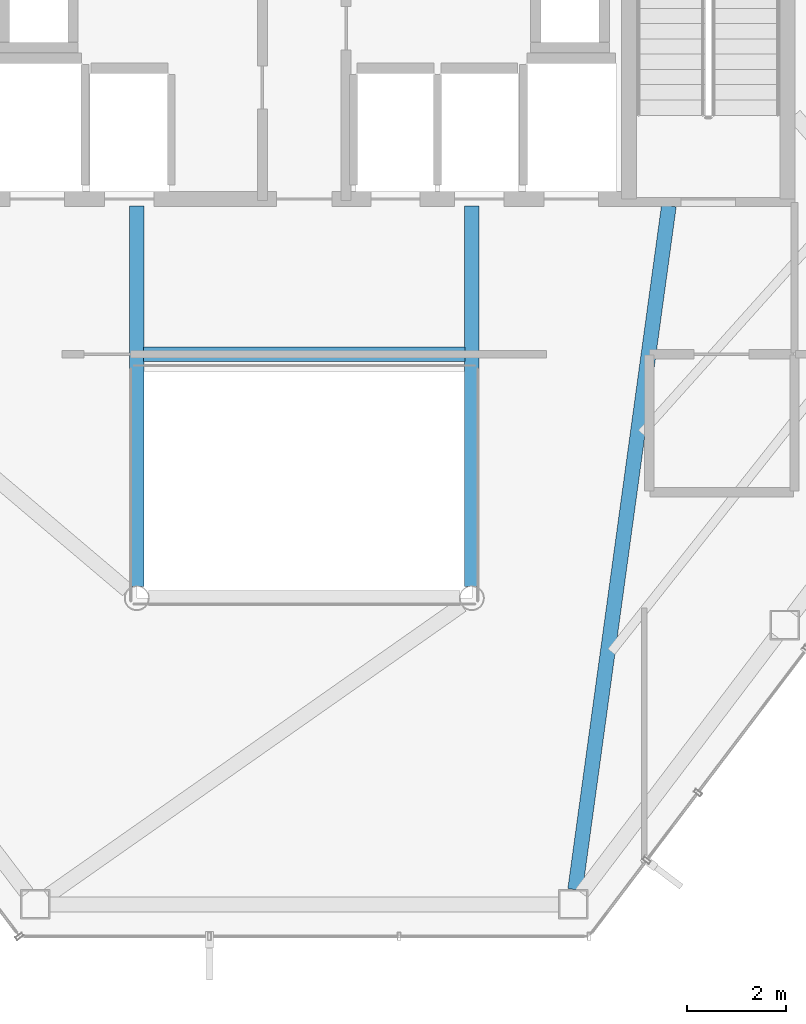
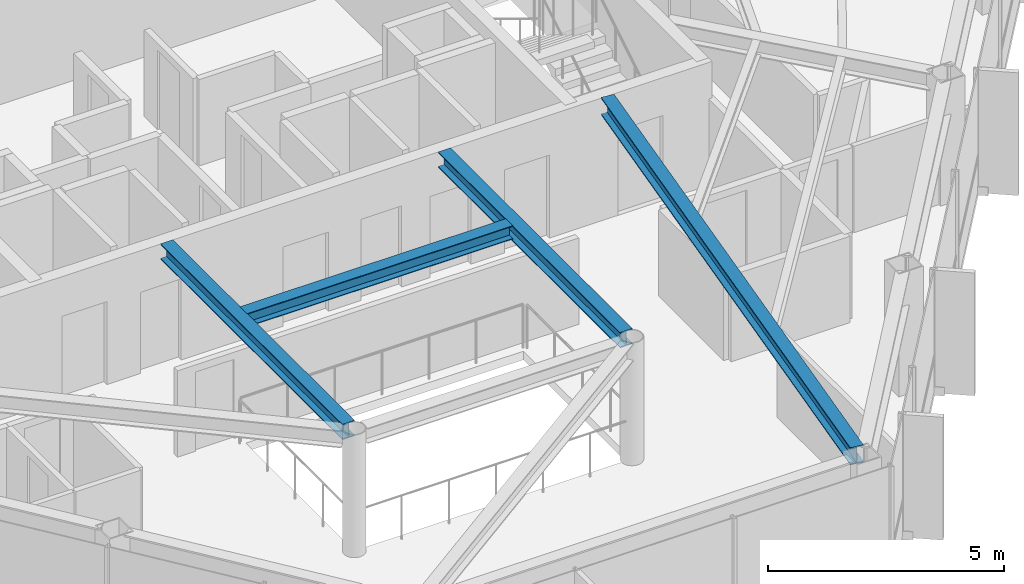
# One storey, part 9 of 27: 4 beams.
"""IFC4 building model written with IfcOpenShell, lengths in metres."""

import ifcopenshell
import ifcopenshell.guid

model = None  # the IFC model being written
_history = None  # IfcOwnerHistory: only IFC2X3 demands one
_inside = {}  # id of a spatial element -> (the spatial element, [elements in it])
_under = {}  # id of a project, library or spatial element -> (it, [spatial elements below it])
_declared = {}  # id of a project -> (the project, [libraries it declares])
_typed = {}  # id of a type object -> (the type object, [elements of that type])
_made_of = {}  # id of a material, layer set ... -> (it, [elements and type objects made of it])


def new_model(schema):
    """Start an empty IFC model of exactly this schema.

    Asked for "IFC4X3", IfcOpenShell would pick the latest addendum, in which some entities
    have other attributes; the version numbers below select the first issue.
    IFC2X3 requires an IfcOwnerHistory on every rooted entity: one is made here for all.
    """
    global model, _history
    if schema == "IFC4X3":
        model = ifcopenshell.file(schema_version=(4, 3, 0, 0))
    else:
        model = ifcopenshell.file(schema=schema)
    _inside.clear()
    _under.clear()
    _declared.clear()
    _typed.clear()
    _made_of.clear()
    _history = None
    if model.schema == "IFC2X3":
        org = make("IfcOrganization", Name="unknown")
        user = make(
            "IfcPersonAndOrganization",
            ThePerson=make("IfcPerson", FamilyName="unknown"),
            TheOrganization=org,
        )
        app = make(
            "IfcApplication",
            ApplicationDeveloper=org,
            Version="unknown",
            ApplicationFullName="unknown",
            ApplicationIdentifier="unknown",
        )
        _history = make(
            "IfcOwnerHistory",
            OwningUser=user,
            OwningApplication=app,
            ChangeAction="ADDED",
            CreationDate=0,
        )
    return model


def make(cls, **values):
    """One entity of the class cls with the attributes given. An attribute that is None is left unset."""
    return model.create_entity(
        cls, **{name: value for name, value in values.items() if value is not None}
    )


def rooted(cls, **values):
    """An entity with a GlobalId (a new one), such as an element, a storey or a relation."""
    return make(cls, GlobalId=ifcopenshell.guid.new(), OwnerHistory=_history, **values)


def si_unit(unit_type, name, prefix=None):
    """IfcSIUnit, for example si_unit("LENGTHUNIT", "METRE", prefix="MILLI")."""
    return make("IfcSIUnit", UnitType=unit_type, Prefix=prefix, Name=name)


def assignment(units):
    """IfcUnitAssignment: the units of a project."""
    return None if units is None else make("IfcUnitAssignment", Units=units)


def point(xyz):
    """IfcCartesianPoint."""
    return None if xyz is None else make("IfcCartesianPoint", Coordinates=xyz)


def direction(xyz):
    """IfcDirection."""
    return None if xyz is None else make("IfcDirection", DirectionRatios=xyz)


def frame(location, z_axis=None, x_axis=None):
    """IfcAxis2Placement3D, a coordinate frame: its origin and axes. An axis left out is left unset."""
    return make(
        "IfcAxis2Placement3D",
        Location=point(location),
        Axis=direction(z_axis),
        RefDirection=direction(x_axis),
    )


def frame_2d(location, x_axis=None):
    """IfcAxis2Placement2D, a coordinate frame in the plane: its origin and x axis."""
    return make(
        "IfcAxis2Placement2D", Location=point(location), RefDirection=direction(x_axis)
    )


def origin():
    """The frame at (0, 0, 0) with its axes left unset."""
    return frame((0.0, 0.0, 0.0))


def origin_2d():
    """The frame at (0, 0) in the plane with its x axis left unset."""
    return frame_2d((0.0, 0.0))


def place(relative_to, where):
    """IfcLocalPlacement: puts the frame where relative to a parent placement (None: the world)."""
    return make(
        "IfcLocalPlacement", PlacementRelTo=relative_to, RelativePlacement=where
    )


def context(
    kind, dimensions, precision=None, world=None, true_north=None, identifier=None
):
    """IfcGeometricRepresentationContext, for example the 3D "Model" context."""
    return make(
        "IfcGeometricRepresentationContext",
        ContextIdentifier=identifier,
        ContextType=kind,
        CoordinateSpaceDimension=dimensions,
        Precision=precision,
        WorldCoordinateSystem=world,
        TrueNorth=true_north,
    )


def subcontext(parent, identifier, kind, view, scale=None):
    """IfcGeometricRepresentationSubContext, for example "Body" below "Model"."""
    return make(
        "IfcGeometricRepresentationSubContext",
        ContextIdentifier=identifier,
        ContextType=kind,
        ParentContext=parent,
        TargetScale=scale,
        TargetView=view,
    )


def project(units=None, contexts=None):
    """IfcProject with its units and contexts."""
    return rooted(
        "IfcProject",
        Name="project",
        RepresentationContexts=contexts,
        UnitsInContext=assignment(units),
    )


def spatial(cls, under=None, at=None, **own):
    """A site, building, storey or space (cls), placed at a placement, below another one or the project."""
    s = rooted(cls, ObjectPlacement=at, **own)
    if under is not None:
        _under.setdefault(under.id(), (under, []))[1].append(s)
    return s


def profile(cls, at=None, kind="AREA", **sizes):
    """A parametric profile (cls). Its sizes go by their IFC names, for example OverallWidth=200.0."""
    return make(cls, ProfileType=kind, Position=at, **sizes)


def i_section(**sizes):
    """IfcIShapeProfileDef."""
    return profile("IfcIShapeProfileDef", **sizes)


def extrude(swept, where, along, depth):
    """IfcExtrudedAreaSolid: the profile swept, set in the frame where, extruded along a direction by depth."""
    return make(
        "IfcExtrudedAreaSolid",
        SweptArea=swept,
        Position=where,
        ExtrudedDirection=direction(along),
        Depth=depth,
    )


def shape(context_of_items, identifier, shape_type, items):
    """IfcShapeRepresentation: the items that make up one representation, for example the "Body"."""
    return make(
        "IfcShapeRepresentation",
        ContextOfItems=context_of_items,
        RepresentationIdentifier=identifier,
        RepresentationType=shape_type,
        Items=items,
    )


def material(Name=None, Category=None):
    """IfcMaterial."""
    return make("IfcMaterial", Name=Name, Category=Category)


def material_profile(
    of_material, cross_section, Name=None, Category=None, Priority=None
):
    """IfcMaterialProfile: a cross section and its material."""
    return make(
        "IfcMaterialProfile",
        Name=Name,
        Material=of_material,
        Profile=cross_section,
        Priority=Priority,
        Category=Category,
    )


def profile_set(profiles, Name=None, composite=None):
    """IfcMaterialProfileSet."""
    return make(
        "IfcMaterialProfileSet",
        Name=Name,
        MaterialProfiles=profiles,
        CompositeProfile=composite,
    )


def made_of(thing, what):
    """Note that an element or type object is made of a material, layer set ...; save() writes the relation."""
    if what is not None:
        _made_of.setdefault(what.id(), (what, []))[1].append(thing)
    return thing


def type_object(cls, material=None, **own):
    """A type object (cls), such as IfcWallType, which elements share."""
    return made_of(rooted(cls, **own), material)


def element(
    cls,
    number,
    at=None,
    inside=None,
    cuts=None,
    type_object=None,
    material=None,
    context=None,
    identifier="Body",
    shape_type=None,
    held_by="IfcProductDefinitionShape",
    body=None,
    shapes=None,
    **own,
):
    """One element of the class cls, such as IfcWall. Its Tag is "e" and its number.

    at: its placement. inside: the storey or other place that contains it. cuts: it is an
    opening in that element (IfcRelVoidsElement). A single representation is given by context,
    identifier, shape_type and body (its items); several are given by shapes. held_by: the class
    of the entity that holds the representations. save() writes the other relations.
    """
    e = rooted(cls, Tag="e%d" % number, ObjectPlacement=at, **own)
    if body is not None:
        shapes = [shape(context, identifier, shape_type, body)]
    if shapes is not None:
        e.Representation = make(held_by, Representations=shapes)
    if inside is not None:
        _inside.setdefault(inside.id(), (inside, []))[1].append(e)
    if cuts is not None:
        rooted(
            "IfcRelVoidsElement", RelatingBuildingElement=cuts, RelatedOpeningElement=e
        )
    if type_object is not None:
        _typed.setdefault(type_object.id(), (type_object, []))[1].append(e)
    return made_of(e, material)


def aggregate(whole, parts):
    """IfcRelAggregates: a whole, such as a stair, and the parts it consists of."""
    return rooted("IfcRelAggregates", RelatingObject=whole, RelatedObjects=parts)


def save(model, path):
    """Write the relations noted so far, then the file.

    IfcRelAggregates (storeys below a building ...), IfcRelContainedInSpatialStructure (elements
    in a storey), IfcRelDefinesByType, IfcRelAssociatesMaterial and IfcRelDeclares: one each for
    every whole, place, type object, material and project.
    """
    for whole, parts in _under.values():
        aggregate(whole, parts)
    for where, things in _inside.values():
        rooted(
            "IfcRelContainedInSpatialStructure",
            RelatedElements=things,
            RelatingStructure=where,
        )
    for kind, things in _typed.values():
        rooted("IfcRelDefinesByType", RelatedObjects=things, RelatingType=kind)
    for what, things in _made_of.values():
        rooted("IfcRelAssociatesMaterial", RelatedObjects=things, RelatingMaterial=what)
    for by, libraries in _declared.values():
        rooted("IfcRelDeclares", RelatingContext=by, RelatedDefinitions=libraries)
    model.write(path)


model = new_model("IFC4")

# Units and contexts
model_context = context("Model", 3, precision=1e-05, world=origin(), true_north=direction((0.0, 1.0)))
body_context = subcontext(model_context, "Body", "Model", "MODEL_VIEW")
ifc_project = project(units=[si_unit("LENGTHUNIT", "METRE"), si_unit("AREAUNIT", "SQUARE_METRE"), si_unit("VOLUMEUNIT", "CUBIC_METRE"), si_unit("PLANEANGLEUNIT", "RADIAN"), si_unit("MASSUNIT", "GRAM", prefix="KILO")], contexts=[model_context])

# Site, building, storey
site_placement = place(None, origin())
site = spatial("IfcSite", under=ifc_project, at=site_placement, CompositionType="ELEMENT")
building_placement = place(site_placement, origin())
building = spatial("IfcBuilding", under=site, at=building_placement, Name="Zarrinselat Tower", CompositionType="ELEMENT")
storey_placement = place(building_placement, frame((0.0, 0.0, 229.159912109375)))
storey = spatial("IfcBuildingStorey", under=building, at=storey_placement, Name="L57", CompositionType="ELEMENT", Elevation=229.159912109375)

# Beams
ifc_material_1 = material(Name="Steel S355J2", Category="steel")
ifc_material_profile_1 = material_profile(ifc_material_1, i_section(OverallWidth=0.300048828125, OverallDepth=0.35009765625, WebThickness=0.010009765625, FlangeThickness=0.017578125, at=origin_2d()), Name="HEA 360")
ifc_profile_set_1 = profile_set([ifc_material_profile_1], Name="Steel S355J2")
beam_type_1 = type_object("IfcBeamType", Name="BM-HEA360", PredefinedType="LINTEL", material=ifc_profile_set_1)
beam_1_placement = place(storey_placement, frame((35.139892578125, 30.14990234375, 3.005126953125), z_axis=(1.0, 0.0, 0.0), x_axis=(0.0, 1.0, 0.0)))
element("IfcBeam", 1, at=beam_1_placement, inside=storey, type_object=beam_type_1, Name="L57 Lift Lobby Ceiling Beam", PredefinedType="LINTEL", context=body_context, shape_type="SweptSolid", body=[
    extrude(i_section(OverallWidth=0.300048828125, OverallDepth=0.35009765625, WebThickness=0.010009765625, FlangeThickness=0.017578125, at=origin_2d()), origin(), (0.0, 0.0, 1.0), 6.52001953125),
])
ifc_material_2 = material(Name="Steel S355J2", Category="steel")
ifc_material_profile_2 = material_profile(ifc_material_2, i_section(OverallWidth=0.300048828125, OverallDepth=0.39990234375, WebThickness=0.013427734375, FlangeThickness=0.02392578125, at=origin_2d()), Name="HEB 400")
ifc_profile_set_2 = profile_set([ifc_material_profile_2], Name="Steel S355J2")
beam_type_2 = type_object("IfcBeamType", Name="BM-HEB400", PredefinedType="BEAM", material=ifc_profile_set_2)
for number, where, z_axis, x_axis, name in (
    (2, (35.0, 25.43994140625, 2.97998046875), (0.0, 1.0, 0.0), (-1.0, 0.0, 0.0), "L57 Atrium Edge Beam W"),
    (3, (41.800048828125, 25.43994140625, 2.97998046875), (0.0, 1.0, 0.0), (-1.0, 0.0, 0.0), "L57 Atrium Edge Beam E"),
):
    element("IfcBeam", number, at=place(storey_placement, frame(where, z_axis=z_axis, x_axis=x_axis)), inside=storey, type_object=beam_type_2, Name=name, PredefinedType="BEAM", context=body_context, shape_type="SweptSolid", body=[
        extrude(i_section(OverallWidth=0.300048828125, OverallDepth=0.39990234375, WebThickness=0.013427734375, FlangeThickness=0.02392578125, at=origin_2d()), origin(), (0.0, 0.0, 1.0), 7.719970703125),
    ])
ifc_material_3 = material(Name="Steel S355J2", Category="steel")
ifc_material_profile_3 = material_profile(ifc_material_3, i_section(OverallWidth=0.300048828125, OverallDepth=0.449951171875, WebThickness=0.013916015625, FlangeThickness=0.02587890625, at=origin_2d()), Name="HEB 450")
ifc_profile_set_3 = profile_set([ifc_material_profile_3], Name="Steel S355J2")
beam_type_3 = type_object("IfcBeamType", Name="BM-HEB450", PredefinedType="BEAM", material=ifc_profile_set_3)
beam_2_placement = place(storey_placement, frame((43.89794921875, 19.283203125, 2.955078125), z_axis=(0.135801555817, 0.990736058412, 0.0), x_axis=(-0.990736058412, 0.135801555817, 0.0)))
element("IfcBeam", 4, at=beam_2_placement, inside=storey, type_object=beam_type_3, Name="L57 Radial Primary Girder RG11", PredefinedType="BEAM", context=body_context, shape_type="SweptSolid", body=[
    extrude(i_section(OverallWidth=0.300048828125, OverallDepth=0.449951171875, WebThickness=0.013916015625, FlangeThickness=0.02587890625, at=origin_2d()), origin(), (0.0, 0.0, 1.0), 14.00634765625),
])

save(model, "model.ifc")
